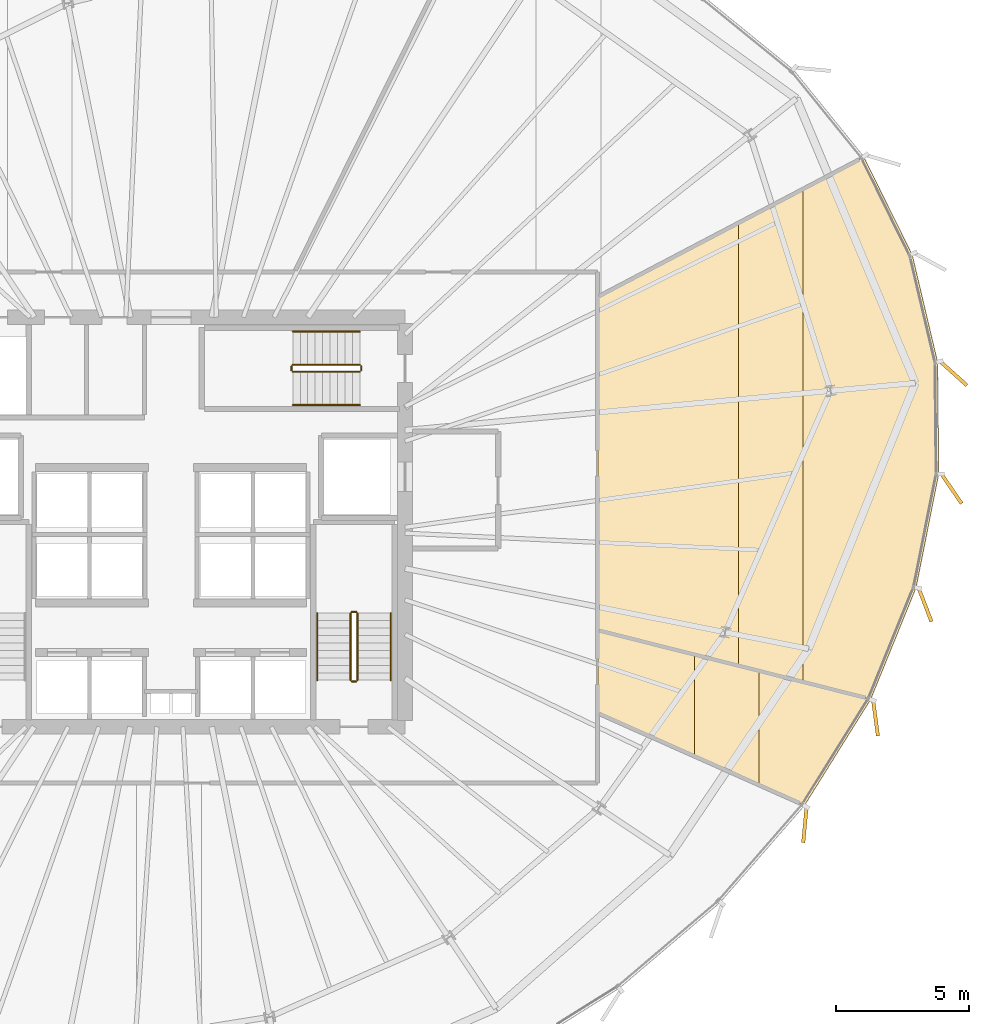
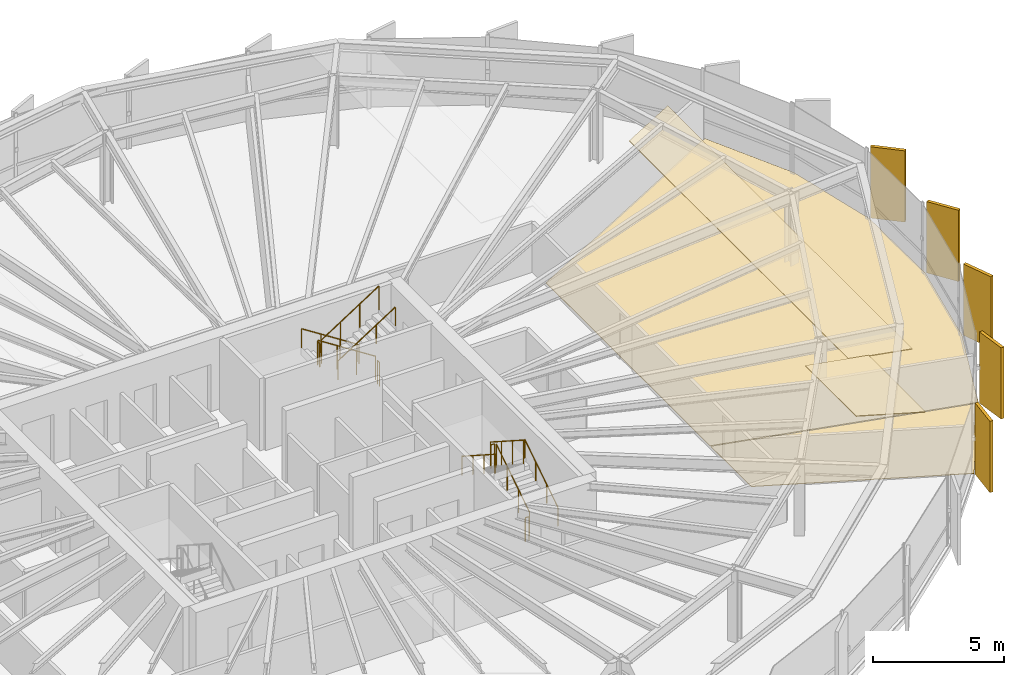
# One storey, part 32 of 33: 12 railings, 9 coverings.
"""IFC4 building model written with IfcOpenShell, lengths in metres."""

from ifc_helpers import new_model, si_unit, direction, frame, origin, origin_2d, place, context, subcontext, project, spatial, polyline, rectangle, circle, outline, extrude, source, transform, mapped, material, layer, layer_set, type_object, element, save


model = new_model("IFC4")

# Units and contexts
model_context = context("Model", 3, precision=1e-05, world=origin(), true_north=direction((0.0, 1.0)))
body_context = subcontext(model_context, "Body", "Model", "MODEL_VIEW")
ifc_project = project(units=[si_unit("LENGTHUNIT", "METRE"), si_unit("AREAUNIT", "SQUARE_METRE"), si_unit("VOLUMEUNIT", "CUBIC_METRE"), si_unit("PLANEANGLEUNIT", "RADIAN"), si_unit("MASSUNIT", "GRAM", prefix="KILO"), si_unit("THERMODYNAMICTEMPERATUREUNIT", "KELVIN")], contexts=[model_context])

# Site, building, storey
site_placement = place(None, origin())
site = spatial("IfcSite", under=ifc_project, at=site_placement, CompositionType="ELEMENT")
building_placement = place(site_placement, origin())
building = spatial("IfcBuilding", under=site, at=building_placement, Name="Kethvar Cultural Tower", CompositionType="ELEMENT")
storey_placement = place(building_placement, frame((0.0, 0.0, 114.39990234375)))
storey = spatial("IfcBuildingStorey", under=building, at=storey_placement, Name="L28", CompositionType="ELEMENT", Elevation=114.39990234375)

# Coverings
ifc_material_1 = material(Name="Acoustic Mineral Fibre Ceiling")
ifc_layer_1 = layer(ifc_material_1, 0.0400390625, Name="Acoustic Mineral Fibre Ceiling")
ifc_layer_set_1 = layer_set([ifc_layer_1], Name="Acoustic Mineral Fibre Ceiling (40 mm)")
covering_type_1 = type_object("IfcCoveringType", Name="CV-ACOUSTIC-CEIL", PredefinedType="CEILING", material=ifc_layer_set_1)
covering_1_placement = place(storey_placement, frame((0.0, 0.0, 3.0)))
element("IfcCovering", 1, at=covering_1_placement, inside=storey, type_object=covering_type_1, Name="L28 Room 02 Acoustic Ceiling Panel", PredefinedType="CEILING", context=body_context, shape_type="SweptSolid", body=[
    extrude(outline(polyline([(66.48974609375, 18.959716796875), (66.48974609375, 22.82666015625), (68.919677734375, 22.21044921875), (68.919677734375, 17.871337890625), (66.48974609375, 18.959716796875)])), origin(), (0.0, 0.0, 1.0), 0.0400390625),
])
covering_2_placement = place(storey_placement, frame((0.0, 0.0, 3.0)))
element("IfcCovering", 2, at=covering_2_placement, inside=storey, type_object=covering_type_1, Name="L28 Room 03 Acoustic Ceiling Panel", PredefinedType="CEILING", context=body_context, shape_type="SweptSolid", body=[
    extrude(outline(polyline([(68.14306640625, 22.3662109375), (68.14306640625, 39.080810546875), (70.572998046875, 40.362548828125), (70.572998046875, 21.749755859375), (68.14306640625, 22.3662109375)])), origin(), (0.0, 0.0, 1.0), 0.0400390625),
])
ifc_material_2 = material(Name="Architectural Oak Timber", Category="wood")
ifc_layer_2 = layer(ifc_material_2, 0.02490234375, Name="Architectural Oak Timber", Category="wood")
ifc_layer_set_2 = layer_set([ifc_layer_2], Name="Architectural Oak Timber (25 mm)")
covering_type_2 = type_object("IfcCoveringType", Name="CV-OAK-FLOOR", PredefinedType="FLOORING", material=ifc_layer_set_2)
covering_3_placement = place(storey_placement, origin())
element("IfcCovering", 3, at=covering_3_placement, inside=storey, type_object=covering_type_2, Name="L28 Room 02 Floor Finish", PredefinedType="FLOORING", context=body_context, shape_type="SweptSolid", body=[
    extrude(outline(polyline([(70.625732421875, 17.151123046875), (62.85009765625, 20.633544921875), (62.85009765625, 23.70849609375), (73.097412109375, 21.109619140625), (70.625732421875, 17.151123046875)])), origin(), (0.0, 0.0, 1.0), 0.025146484375),
])
covering_4_placement = place(storey_placement, origin())
element("IfcCovering", 4, at=covering_4_placement, inside=storey, type_object=covering_type_2, Name="L28 Room 03 Floor Finish", PredefinedType="FLOORING", context=body_context, shape_type="SweptSolid", body=[
    extrude(outline(polyline([(75.67041015625, 29.606201171875), (74.818359375, 25.332275390625), (73.11669921875, 21.14599609375), (62.85009765625, 23.75), (62.85009765625, 36.243408203125), (72.855224609375, 41.52099609375), (74.677001953125, 37.836181640625), (75.626220703125, 33.818115234375), (75.67041015625, 29.606201171875)])), origin(), (0.0, 0.0, 1.0), 0.025146484375),
])

# Railings
ifc_material_3 = material(Name="Steel S355J2", Category="steel")
railing_type_1 = type_object("IfcRailingType", Name="RL-STAIR-GUARD", PredefinedType="BALUSTRADE", material=ifc_material_3)
railing_1_placement = place(storey_placement, frame((53.81005859375, 21.85009765625, 0.18017578125)))
element("IfcRailing", 5, at=railing_1_placement, inside=storey, type_object=railing_type_1, Name="L28 ST-02 stair guard 1", PredefinedType="BALUSTRADE", context=body_context, shape_type="SweptSolid", body=[
    extrude(circle(Radius=0.02392578125, at=origin_2d()), frame((0.0, 0.0, 1.09619140625), z_axis=(0.0, 0.841199657755, 0.540724639528), x_axis=(-1.0, 0.0, 0.0)), (0.0, 0.0, 1.0), 2.995849609375),
    extrude(circle(Radius=0.02099609375, at=origin_2d()), origin(), (0.0, 0.0, 1.0), 1.072021484375),
    extrude(circle(Radius=0.02099609375, at=origin_2d()), frame((0.0, 0.840087890625, 0.5400390625)), (0.0, 0.0, 1.0), 1.072021484375),
    extrude(circle(Radius=0.02099609375, at=origin_2d()), frame((0.0, 1.679931640625, 1.079833984375)), (0.0, 0.0, 1.0), 1.072021484375),
    extrude(circle(Radius=0.02099609375, at=origin_2d()), frame((0.0, 2.52001953125, 1.619873046875)), (0.0, 0.0, 1.0), 1.072021484375),
])
railing_2_placement = place(storey_placement, frame((53.760009765625, 24.419921875, 1.800048828125)))
element("IfcRailing", 6, at=railing_2_placement, inside=storey, type_object=railing_type_1, Name="L28 ST-02 stair guard 2", PredefinedType="BALUSTRADE", context=body_context, shape_type="SweptSolid", body=[
    extrude(circle(Radius=0.02392578125, at=origin_2d()), frame((0.0, 0.0, 1.09619140625), z_axis=(-1.0, 0.0, 0.0), x_axis=(0.0, -1.0, 0.0)), (0.0, 0.0, 1.0), 0.159912109375),
    extrude(circle(Radius=0.02099609375, at=origin_2d()), origin(), (0.0, 0.0, 1.0), 1.072021484375),
    extrude(circle(Radius=0.02099609375, at=origin_2d()), frame((-0.159912109375, 0.0, 0.0)), (0.0, 0.0, 1.0), 1.072021484375),
])
railing_3_placement = place(storey_placement, frame((53.550048828125, 24.3701171875, 1.97998046875)))
element("IfcRailing", 7, at=railing_3_placement, inside=storey, type_object=railing_type_1, Name="L28 ST-02 stair guard 3", PredefinedType="BALUSTRADE", context=body_context, shape_type="SweptSolid", body=[
    extrude(circle(Radius=0.02392578125, at=origin_2d()), frame((0.0, 0.0, 1.09619140625), z_axis=(0.0, -0.841162588446, 0.540782303519), x_axis=(1.0, 0.0, 0.0)), (0.0, 0.0, 1.0), 2.995849609375),
    extrude(circle(Radius=0.02099609375, at=origin_2d()), origin(), (0.0, 0.0, 1.0), 1.072021484375),
    extrude(circle(Radius=0.02099609375, at=origin_2d()), frame((0.0, -0.840087890625, 0.5400390625)), (0.0, 0.0, 1.0), 1.072021484375),
    extrude(circle(Radius=0.02099609375, at=origin_2d()), frame((0.0, -1.679931640625, 1.080078125)), (0.0, 0.0, 1.0), 1.072021484375),
    extrude(circle(Radius=0.02099609375, at=origin_2d()), frame((0.0, -2.52001953125, 1.6201171875)), (0.0, 0.0, 1.0), 1.072021484375),
])
railing_4_placement = place(storey_placement, frame((53.760009765625, 21.800048828125, 0.0)))
element("IfcRailing", 8, at=railing_4_placement, inside=storey, type_object=railing_type_1, Name="L28 ST-02 stair guard 4", PredefinedType="BALUSTRADE", context=body_context, shape_type="SweptSolid", body=[
    extrude(circle(Radius=0.02392578125, at=origin_2d()), frame((0.0, 0.0, 1.09619140625), z_axis=(-1.0, 0.0, 0.0), x_axis=(0.0, -1.0, 0.0)), (0.0, 0.0, 1.0), 0.159912109375),
    extrude(circle(Radius=0.02099609375, at=origin_2d()), origin(), (0.0, 0.0, 1.0), 1.072021484375),
    extrude(circle(Radius=0.02099609375, at=origin_2d()), frame((-0.159912109375, 0.0, 0.0)), (0.0, 0.0, 1.0), 1.072021484375),
])
railing_5_placement = place(storey_placement, frame((53.89990234375, 33.7099609375, 0.18017578125)))
element("IfcRailing", 9, at=railing_5_placement, inside=storey, type_object=railing_type_1, Name="L28 ST-03 stair guard 1", PredefinedType="BALUSTRADE", context=body_context, shape_type="SweptSolid", body=[
    extrude(circle(Radius=0.02392578125, at=origin_2d()), frame((0.0, 0.0, 1.09619140625), z_axis=(-0.841199657755, 0.0, 0.540724639528), x_axis=(0.0, -1.0, 0.0)), (0.0, 0.0, 1.0), 2.995849609375),
    extrude(circle(Radius=0.02099609375, at=origin_2d()), origin(), (0.0, 0.0, 1.0), 1.072021484375),
    extrude(circle(Radius=0.02099609375, at=origin_2d()), frame((-0.840087890625, 0.0, 0.5400390625)), (0.0, 0.0, 1.0), 1.072021484375),
    extrude(circle(Radius=0.02099609375, at=origin_2d()), frame((-1.679931640625, 0.0, 1.079833984375)), (0.0, 0.0, 1.0), 1.072021484375),
    extrude(circle(Radius=0.02099609375, at=origin_2d()), frame((-2.52001953125, 0.0, 1.619873046875)), (0.0, 0.0, 1.0), 1.072021484375),
])
railing_6_placement = place(storey_placement, frame((51.330078125, 33.659912109375, 1.800048828125)))
element("IfcRailing", 10, at=railing_6_placement, inside=storey, type_object=railing_type_1, Name="L28 ST-03 stair guard 2", PredefinedType="BALUSTRADE", context=body_context, shape_type="SweptSolid", body=[
    extrude(circle(Radius=0.02392578125, at=origin_2d()), frame((0.0, 0.0, 1.09619140625), z_axis=(0.0, -1.0, 0.0), x_axis=(1.0, 0.0, 0.0)), (0.0, 0.0, 1.0), 0.159912109375),
    extrude(circle(Radius=0.02099609375, at=origin_2d()), origin(), (0.0, 0.0, 1.0), 1.072021484375),
    extrude(circle(Radius=0.02099609375, at=origin_2d()), frame((0.0, -0.159912109375, 0.0)), (0.0, 0.0, 1.0), 1.072021484375),
])
railing_7_placement = place(storey_placement, frame((51.3798828125, 33.449951171875, 1.97998046875)))
element("IfcRailing", 11, at=railing_7_placement, inside=storey, type_object=railing_type_1, Name="L28 ST-03 stair guard 3", PredefinedType="BALUSTRADE", context=body_context, shape_type="SweptSolid", body=[
    extrude(circle(Radius=0.02392578125, at=origin_2d()), frame((0.0, 0.0, 1.09619140625), z_axis=(0.841162588446, 0.0, 0.540782303519), x_axis=(0.0, 1.0, 0.0)), (0.0, 0.0, 1.0), 2.995849609375),
    extrude(circle(Radius=0.02099609375, at=origin_2d()), origin(), (0.0, 0.0, 1.0), 1.072021484375),
    extrude(circle(Radius=0.02099609375, at=origin_2d()), frame((0.840087890625, 0.0, 0.5400390625)), (0.0, 0.0, 1.0), 1.072021484375),
    extrude(circle(Radius=0.02099609375, at=origin_2d()), frame((1.679931640625, 0.0, 1.080078125)), (0.0, 0.0, 1.0), 1.072021484375),
    extrude(circle(Radius=0.02099609375, at=origin_2d()), frame((2.52001953125, 0.0, 1.6201171875)), (0.0, 0.0, 1.0), 1.072021484375),
])
railing_8_placement = place(storey_placement, frame((53.949951171875, 33.659912109375, 0.0)))
element("IfcRailing", 12, at=railing_8_placement, inside=storey, type_object=railing_type_1, Name="L28 ST-03 stair guard 4", PredefinedType="BALUSTRADE", context=body_context, shape_type="SweptSolid", body=[
    extrude(circle(Radius=0.02392578125, at=origin_2d()), frame((0.0, 0.0, 1.09619140625), z_axis=(0.0, -1.0, 0.0), x_axis=(1.0, 0.0, 0.0)), (0.0, 0.0, 1.0), 0.159912109375),
    extrude(circle(Radius=0.02099609375, at=origin_2d()), origin(), (0.0, 0.0, 1.0), 1.072021484375),
    extrude(circle(Radius=0.02099609375, at=origin_2d()), frame((0.0, -0.159912109375, 0.0)), (0.0, 0.0, 1.0), 1.072021484375),
])
railing_type_2 = type_object("IfcRailingType", Name="RL-STAIR-HANDRAIL", PredefinedType="HANDRAIL", material=ifc_material_3)
railing_9_placement = place(storey_placement, frame((55.06005859375, 21.85009765625, 0.18017578125)))
element("IfcRailing", 13, at=railing_9_placement, inside=storey, type_object=railing_type_2, Name="L28 ST-02 stair handrail 1", PredefinedType="HANDRAIL", context=body_context, shape_type="SweptSolid", body=[
    extrude(circle(Radius=0.02392578125, at=origin_2d()), frame((0.0, 0.0, 0.8759765625), z_axis=(0.0, 0.841199657755, 0.540724639528), x_axis=(-1.0, 0.0, 0.0)), (0.0, 0.0, 1.0), 2.995849609375),
    extrude(circle(Radius=0.02099609375, at=origin_2d()), origin(), (0.0, 0.0, 1.0), 0.851806640625),
    extrude(circle(Radius=0.02099609375, at=origin_2d()), frame((0.0, 0.840087890625, 0.5400390625)), (0.0, 0.0, 1.0), 0.851806640625),
    extrude(circle(Radius=0.02099609375, at=origin_2d()), frame((0.0, 1.679931640625, 1.079833984375)), (0.0, 0.0, 1.0), 0.851806640625),
    extrude(circle(Radius=0.02099609375, at=origin_2d()), frame((0.0, 2.52001953125, 1.619873046875)), (0.0, 0.0, 1.0), 0.851806640625),
])
railing_10_placement = place(storey_placement, frame((52.300048828125, 24.3701171875, 1.97998046875)))
element("IfcRailing", 14, at=railing_10_placement, inside=storey, type_object=railing_type_2, Name="L28 ST-02 stair handrail 2", PredefinedType="HANDRAIL", context=body_context, shape_type="SweptSolid", body=[
    extrude(circle(Radius=0.02392578125, at=origin_2d()), frame((0.0, 0.0, 0.8759765625), z_axis=(0.0, -0.841162588446, 0.540782303519), x_axis=(1.0, 0.0, 0.0)), (0.0, 0.0, 1.0), 2.995849609375),
    extrude(circle(Radius=0.02099609375, at=origin_2d()), origin(), (0.0, 0.0, 1.0), 0.851806640625),
    extrude(circle(Radius=0.02099609375, at=origin_2d()), frame((0.0, -0.840087890625, 0.5400390625)), (0.0, 0.0, 1.0), 0.851806640625),
    extrude(circle(Radius=0.02099609375, at=origin_2d()), frame((0.0, -1.679931640625, 1.080078125)), (0.0, 0.0, 1.0), 0.851806640625),
    extrude(circle(Radius=0.02099609375, at=origin_2d()), frame((0.0, -2.52001953125, 1.6201171875)), (0.0, 0.0, 1.0), 0.851806640625),
])
railing_11_placement = place(storey_placement, frame((53.89990234375, 34.9599609375, 0.18017578125)))
element("IfcRailing", 15, at=railing_11_placement, inside=storey, type_object=railing_type_2, Name="L28 ST-03 stair handrail 1", PredefinedType="HANDRAIL", context=body_context, shape_type="SweptSolid", body=[
    extrude(circle(Radius=0.02392578125, at=origin_2d()), frame((0.0, 0.0, 0.8759765625), z_axis=(-0.841199657755, 0.0, 0.540724639528), x_axis=(0.0, -1.0, 0.0)), (0.0, 0.0, 1.0), 2.995849609375),
    extrude(circle(Radius=0.02099609375, at=origin_2d()), origin(), (0.0, 0.0, 1.0), 0.851806640625),
    extrude(circle(Radius=0.02099609375, at=origin_2d()), frame((-0.840087890625, 0.0, 0.5400390625)), (0.0, 0.0, 1.0), 0.851806640625),
    extrude(circle(Radius=0.02099609375, at=origin_2d()), frame((-1.679931640625, 0.0, 1.079833984375)), (0.0, 0.0, 1.0), 0.851806640625),
    extrude(circle(Radius=0.02099609375, at=origin_2d()), frame((-2.52001953125, 0.0, 1.619873046875)), (0.0, 0.0, 1.0), 0.851806640625),
])
railing_12_placement = place(storey_placement, frame((51.3798828125, 32.199951171875, 1.97998046875)))
element("IfcRailing", 16, at=railing_12_placement, inside=storey, type_object=railing_type_2, Name="L28 ST-03 stair handrail 2", PredefinedType="HANDRAIL", context=body_context, shape_type="SweptSolid", body=[
    extrude(circle(Radius=0.02392578125, at=origin_2d()), frame((0.0, 0.0, 0.8759765625), z_axis=(0.841162588446, 0.0, 0.540782303519), x_axis=(0.0, 1.0, 0.0)), (0.0, 0.0, 1.0), 2.995849609375),
    extrude(circle(Radius=0.02099609375, at=origin_2d()), origin(), (0.0, 0.0, 1.0), 0.851806640625),
    extrude(circle(Radius=0.02099609375, at=origin_2d()), frame((0.840087890625, 0.0, 0.5400390625)), (0.0, 0.0, 1.0), 0.851806640625),
    extrude(circle(Radius=0.02099609375, at=origin_2d()), frame((1.679931640625, 0.0, 1.080078125)), (0.0, 0.0, 1.0), 0.851806640625),
    extrude(circle(Radius=0.02099609375, at=origin_2d()), frame((2.52001953125, 0.0, 1.6201171875)), (0.0, 0.0, 1.0), 0.851806640625),
])

# Coverings
ifc_material_4 = material(Name="Extruded Architectural Terracotta", Category="masonry")
ifc_layer_3 = layer(ifc_material_4, 0.135009765625, Name="Extruded Architectural Terracotta", Category="masonry")
ifc_layer_set_3 = layer_set([ifc_layer_3], Name="Extruded Architectural Terracotta (135 mm)")
covering_type_3 = type_object("IfcCoveringType", Name="Terracotta Facade Fin FIN-02", PredefinedType="CLADDING", material=ifc_layer_set_3)
shared_shape = source(origin(), body_context, "Body", "SweptSolid", [
    extrude(rectangle(XDim=1.35009765625, YDim=0.135009765625, at=origin_2d()), origin(), (0.0, 0.0, 1.0), 3.31005859375),
])
for number, where, z_axis, x_axis, name in (
    (17, (70.6376953125, 16.411376953125, 0.02001953125), (0.0, 0.0, 1.0), (-0.094108313319, -0.995561964603, 0.0), "L28 Vertical Terracotta Fin 6.2"),
    (18, (73.29345703125, 20.423095703125, 0.02001953125), (0.0, 0.0, 1.0), (0.134159142573, -0.990959799621, 0.0), "L28 Vertical Terracotta Fin 6.3"),
    (19, (75.1572265625, 24.680419921875, 0.02001953125), (0.0, 0.0, 1.0), (0.357553110579, -0.933892806009, 0.0), "L28 Vertical Terracotta Fin 6.4"),
    (20, (76.152099609375, 29.048583984375, 0.02001953125), (0.0, 0.0, 1.0), (0.565686835572, -0.824620157442, 0.0), "L28 Vertical Terracotta Fin 6.5"),
    (21, (76.226318359375, 33.387939453125, 0.02001953125), (0.0, 0.0, 1.0), (0.74396176791, -0.668222184522, 0.0), "L28 Vertical Terracotta Fin 6.6"),
):
    element("IfcCovering", number, at=place(storey_placement, frame(where, z_axis=z_axis, x_axis=x_axis)), inside=storey, type_object=covering_type_3, Name=name, PredefinedType="CLADDING", context=body_context, shape_type="MappedRepresentation", body=[
        mapped(shared_shape, transform((0.0, 0.0, 0.0), scale=1.0)),
    ])

save(model, "model.ifc")
